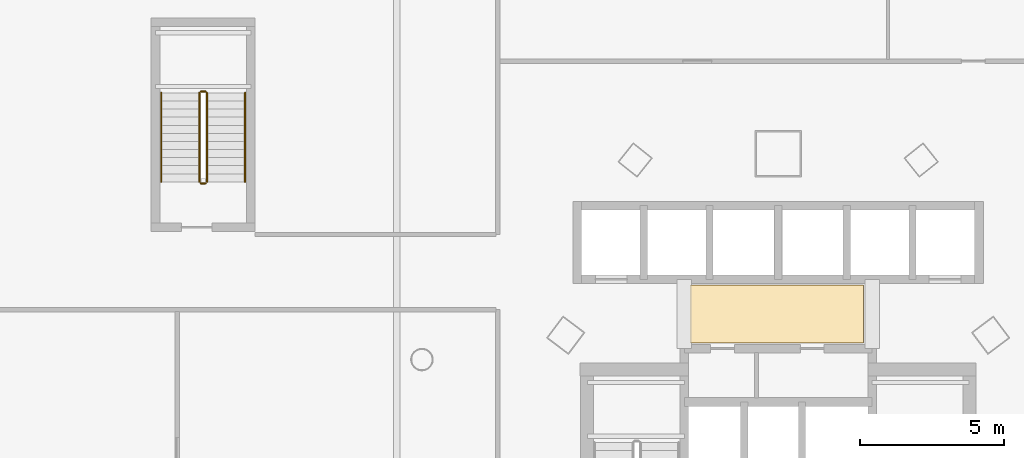
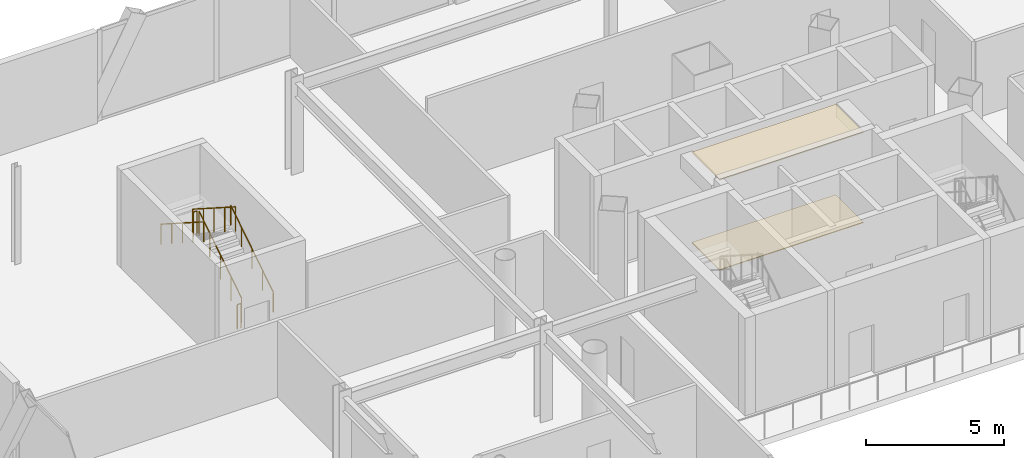
# One storey, part 40 of 42: 6 railings, 2 coverings.
"""IFC4 building model written with IfcOpenShell, lengths in metres."""

from ifc_helpers import new_model, si_unit, direction, frame, origin, origin_2d, place, context, subcontext, project, spatial, polyline, circle, outline, extrude, material, layer, layer_set, type_object, element, save


model = new_model("IFC4")

# Units and contexts
model_context = context("Model", 3, precision=1e-05, world=origin(), true_north=direction((0.0, 1.0)))
body_context = subcontext(model_context, "Body", "Model", "MODEL_VIEW")
ifc_project = project(units=[si_unit("LENGTHUNIT", "METRE"), si_unit("AREAUNIT", "SQUARE_METRE"), si_unit("VOLUMEUNIT", "CUBIC_METRE"), si_unit("PLANEANGLEUNIT", "RADIAN"), si_unit("MASSUNIT", "GRAM", prefix="KILO")], contexts=[model_context])

# Site, building, storey
site_placement = place(None, origin())
site = spatial("IfcSite", under=ifc_project, at=site_placement, CompositionType="ELEMENT")
building_placement = place(site_placement, origin())
building = spatial("IfcBuilding", under=site, at=building_placement, Name="Orvanel Arch Residences", CompositionType="ELEMENT")
storey_placement = place(building_placement, frame((0.0, 0.0, 5.5)))
storey = spatial("IfcBuildingStorey", under=building, at=storey_placement, Name="L01", CompositionType="ELEMENT", Elevation=5.5)

# Coverings
ifc_material_1 = material(Name="Perforated acoustic mineral-fibre ceiling tile", Category="gypsum")
ifc_layer_1 = layer(ifc_material_1, 0.050048828125)
ifc_layer_set_1 = layer_set([ifc_layer_1], Name="Perforated acoustic mineral-fibre ceiling tile")
covering_type_1 = type_object("IfcCoveringType", Name="COV-CLG-ACS50", PredefinedType="CEILING", material=ifc_layer_set_1)
covering_1_placement = place(storey_placement, frame((0.0, 0.0, 3.969970703125)))
element("IfcCovering", 1, at=covering_1_placement, inside=storey, type_object=covering_type_1, Name="L01 Lift Lobby Acoustic Ceiling", PredefinedType="CEILING", context=body_context, shape_type="SweptSolid", body=[
    extrude(outline(polyline([(29.949951171875, 34.85009765625), (35.949951171875, 34.85009765625), (35.949951171875, 36.85009765625), (29.949951171875, 36.85009765625), (29.949951171875, 34.85009765625)])), origin(), (0.0, 0.0, 1.0), 0.050048828125),
])
ifc_material_2 = material(Name="Honed cementitious terrazzo floor finish", Category="concrete")
ifc_layer_2 = layer(ifc_material_2, 0.034912109375)
ifc_layer_set_2 = layer_set([ifc_layer_2], Name="Honed cementitious terrazzo floor finish")
covering_type_2 = type_object("IfcCoveringType", Name="COV-FLR-TRZ35", PredefinedType="FLOORING", material=ifc_layer_set_2)
covering_2_placement = place(storey_placement, origin())
element("IfcCovering", 2, at=covering_2_placement, inside=storey, type_object=covering_type_2, Name="L01 Lift Lobby Terrazzo Flooring", PredefinedType="FLOORING", context=body_context, shape_type="SweptSolid", body=[
    extrude(outline(polyline([(29.949951171875, 34.85009765625), (35.949951171875, 34.85009765625), (35.949951171875, 36.85009765625), (29.949951171875, 36.85009765625), (29.949951171875, 34.85009765625)])), origin(), (0.0, 0.0, 1.0), 0.034912109375),
])

# Railings
ifc_material_3 = material(Name="Structural steel AS/NZS 1163 C350L0 (Grade 350)", Category="steel")
railing_type_1 = type_object("IfcRailingType", Name="RL-STAIR-GUARD", PredefinedType="GUARDRAIL", material=ifc_material_3)
railing_1_placement = place(storey_placement, frame((13.22998046875, 40.419921875, 0.17919921875)))
element("IfcRailing", 3, at=railing_1_placement, inside=storey, type_object=railing_type_1, Name="L01 ST-3 stair guard 1", PredefinedType="GUARDRAIL", context=body_context, shape_type="SweptSolid", body=[
    extrude(circle(Radius=0.02392578125, at=origin_2d()), frame((0.0, 0.001220703125, 1.076904296875), z_axis=(0.0, 0.842339298311, 0.538947591627), x_axis=(-1.0, 0.0, 0.0)), (0.0, 0.0, 1.0), 3.653564453125),
    extrude(circle(Radius=0.02099609375, at=origin_2d()), origin(), (0.0, 0.0, 1.0), 1.050048828125),
    extrude(circle(Radius=0.02099609375, at=origin_2d()), frame((0.0, 0.77001953125, 0.49267578125)), (0.0, 0.0, 1.0), 1.050048828125),
    extrude(circle(Radius=0.02099609375, at=origin_2d()), frame((0.0, 1.5400390625, 0.9853515625)), (0.0, 0.0, 1.0), 1.050048828125),
    extrude(circle(Radius=0.02099609375, at=origin_2d()), frame((0.0, 2.31005859375, 1.47802734375)), (0.0, 0.0, 1.0), 1.050048828125),
    extrude(circle(Radius=0.02099609375, at=origin_2d()), frame((0.0, 3.080078125, 1.970703125)), (0.0, 0.0, 1.0), 1.050048828125),
])
railing_2_placement = place(storey_placement, frame((13.179931640625, 43.550048828125, 2.14990234375)))
element("IfcRailing", 4, at=railing_2_placement, inside=storey, type_object=railing_type_1, Name="L01 ST-3 stair guard 2", PredefinedType="GUARDRAIL", context=body_context, shape_type="SweptSolid", body=[
    extrude(circle(Radius=0.02392578125, at=origin_2d()), frame((-0.00146484375, 0.0, 1.076171875), z_axis=(-1.0, 0.0, 0.0), x_axis=(0.0, -1.0, 0.0)), (0.0, 0.0, 1.0), 0.156982421875),
    extrude(circle(Radius=0.02099609375, at=origin_2d()), origin(), (0.0, 0.0, 1.0), 1.050048828125),
    extrude(circle(Radius=0.02099609375, at=origin_2d()), frame((-0.159912109375, 0.0, 0.0)), (0.0, 0.0, 1.0), 1.050048828125),
])
railing_3_placement = place(storey_placement, frame((12.969970703125, 43.5, 2.3291015625)))
element("IfcRailing", 5, at=railing_3_placement, inside=storey, type_object=railing_type_1, Name="L01 ST-3 stair guard 3", PredefinedType="GUARDRAIL", context=body_context, shape_type="SweptSolid", body=[
    extrude(circle(Radius=0.02392578125, at=origin_2d()), frame((0.0, -0.001220703125, 1.076904296875), z_axis=(0.0, -0.842308987159, 0.53899496301), x_axis=(1.0, 0.0, 0.0)), (0.0, 0.0, 1.0), 3.65380859375),
    extrude(circle(Radius=0.02099609375, at=origin_2d()), origin(), (0.0, 0.0, 1.0), 1.050048828125),
    extrude(circle(Radius=0.02099609375, at=origin_2d()), frame((0.0, -0.77001953125, 0.49267578125)), (0.0, 0.0, 1.0), 1.050048828125),
    extrude(circle(Radius=0.02099609375, at=origin_2d()), frame((0.0, -1.5400390625, 0.9853515625)), (0.0, 0.0, 1.0), 1.050048828125),
    extrude(circle(Radius=0.02099609375, at=origin_2d()), frame((0.0, -2.31005859375, 1.478271484375)), (0.0, 0.0, 1.0), 1.050048828125),
    extrude(circle(Radius=0.02099609375, at=origin_2d()), frame((0.0, -3.080078125, 1.970947265625)), (0.0, 0.0, 1.0), 1.050048828125),
])
railing_4_placement = place(storey_placement, frame((13.179931640625, 40.3701171875, 0.0)))
element("IfcRailing", 6, at=railing_4_placement, inside=storey, type_object=railing_type_1, Name="L01 ST-3 stair guard 4", PredefinedType="GUARDRAIL", context=body_context, shape_type="SweptSolid", body=[
    extrude(circle(Radius=0.02392578125, at=origin_2d()), frame((-0.00146484375, 0.0, 1.076171875), z_axis=(-1.0, 0.0, 0.0), x_axis=(0.0, -1.0, 0.0)), (0.0, 0.0, 1.0), 0.156982421875),
    extrude(circle(Radius=0.02099609375, at=origin_2d()), origin(), (0.0, 0.0, 1.0), 1.050048828125),
    extrude(circle(Radius=0.02099609375, at=origin_2d()), frame((-0.159912109375, 0.0, 0.0)), (0.0, 0.0, 1.0), 1.050048828125),
])
railing_type_2 = type_object("IfcRailingType", Name="RL-STAIR-HAND", PredefinedType="HANDRAIL", material=ifc_material_3)
railing_5_placement = place(storey_placement, frame((14.550048828125, 40.419921875, 0.17919921875)))
element("IfcRailing", 7, at=railing_5_placement, inside=storey, type_object=railing_type_2, Name="L01 ST-3 stair handrail 1", PredefinedType="HANDRAIL", context=body_context, shape_type="SweptSolid", body=[
    extrude(circle(Radius=0.02392578125, at=origin_2d()), frame((0.0, 0.001220703125, 0.876708984375), z_axis=(0.0, 0.842339298311, 0.538947591627), x_axis=(-1.0, 0.0, 0.0)), (0.0, 0.0, 1.0), 3.653564453125),
    extrude(circle(Radius=0.02099609375, at=origin_2d()), origin(), (0.0, 0.0, 1.0), 0.849853515625),
    extrude(circle(Radius=0.02099609375, at=origin_2d()), frame((0.0, 0.77001953125, 0.49267578125)), (0.0, 0.0, 1.0), 0.849853515625),
    extrude(circle(Radius=0.02099609375, at=origin_2d()), frame((0.0, 1.5400390625, 0.9853515625)), (0.0, 0.0, 1.0), 0.849853515625),
    extrude(circle(Radius=0.02099609375, at=origin_2d()), frame((0.0, 2.31005859375, 1.47802734375)), (0.0, 0.0, 1.0), 0.849853515625),
    extrude(circle(Radius=0.02099609375, at=origin_2d()), frame((0.0, 3.080078125, 1.970703125)), (0.0, 0.0, 1.0), 0.849853515625),
])
railing_6_placement = place(storey_placement, frame((11.64990234375, 43.5, 2.3291015625)))
element("IfcRailing", 8, at=railing_6_placement, inside=storey, type_object=railing_type_2, Name="L01 ST-3 stair handrail 2", PredefinedType="HANDRAIL", context=body_context, shape_type="SweptSolid", body=[
    extrude(circle(Radius=0.02392578125, at=origin_2d()), frame((0.0, -0.001220703125, 0.876708984375), z_axis=(0.0, -0.842308987159, 0.53899496301), x_axis=(1.0, 0.0, 0.0)), (0.0, 0.0, 1.0), 3.65380859375),
    extrude(circle(Radius=0.02099609375, at=origin_2d()), origin(), (0.0, 0.0, 1.0), 0.849853515625),
    extrude(circle(Radius=0.02099609375, at=origin_2d()), frame((0.0, -0.77001953125, 0.49267578125)), (0.0, 0.0, 1.0), 0.849853515625),
    extrude(circle(Radius=0.02099609375, at=origin_2d()), frame((0.0, -1.5400390625, 0.9853515625)), (0.0, 0.0, 1.0), 0.849853515625),
    extrude(circle(Radius=0.02099609375, at=origin_2d()), frame((0.0, -2.31005859375, 1.478271484375)), (0.0, 0.0, 1.0), 0.849853515625),
    extrude(circle(Radius=0.02099609375, at=origin_2d()), frame((0.0, -3.080078125, 1.970947265625)), (0.0, 0.0, 1.0), 0.849853515625),
])

save(model, "model.ifc")
